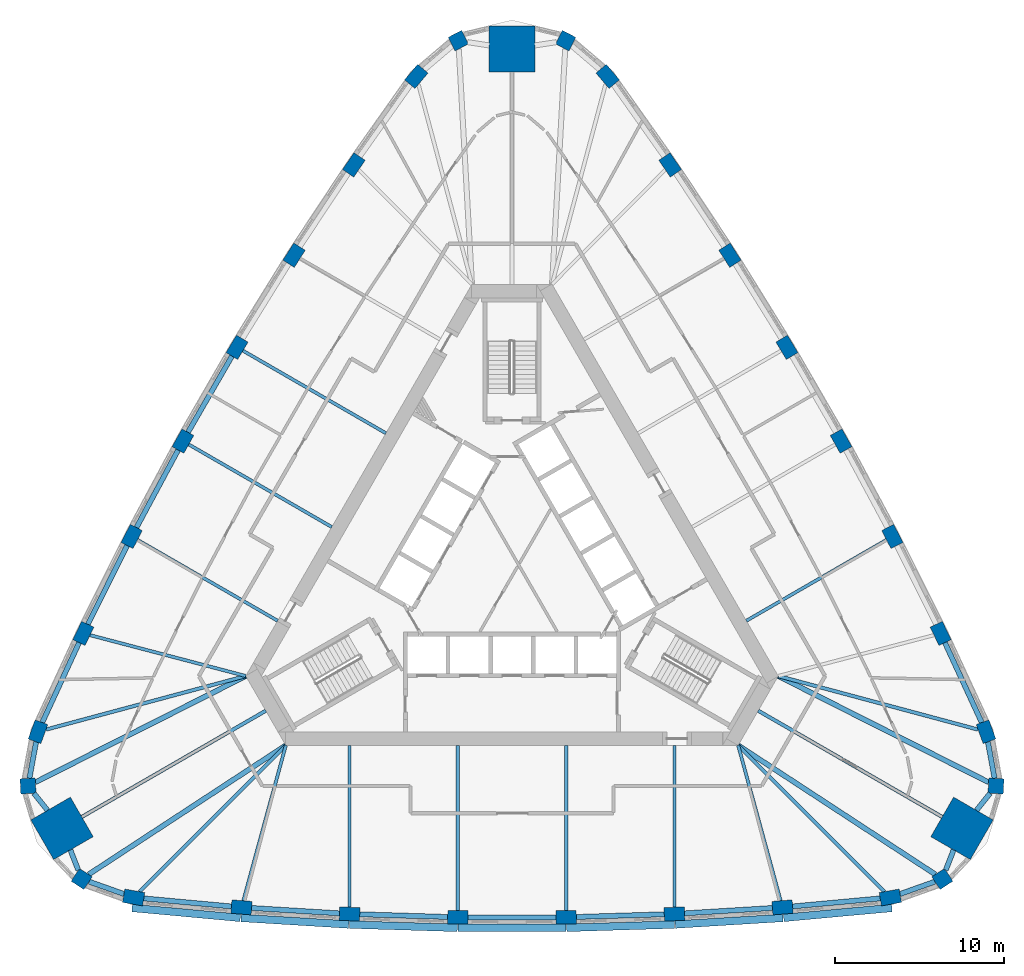
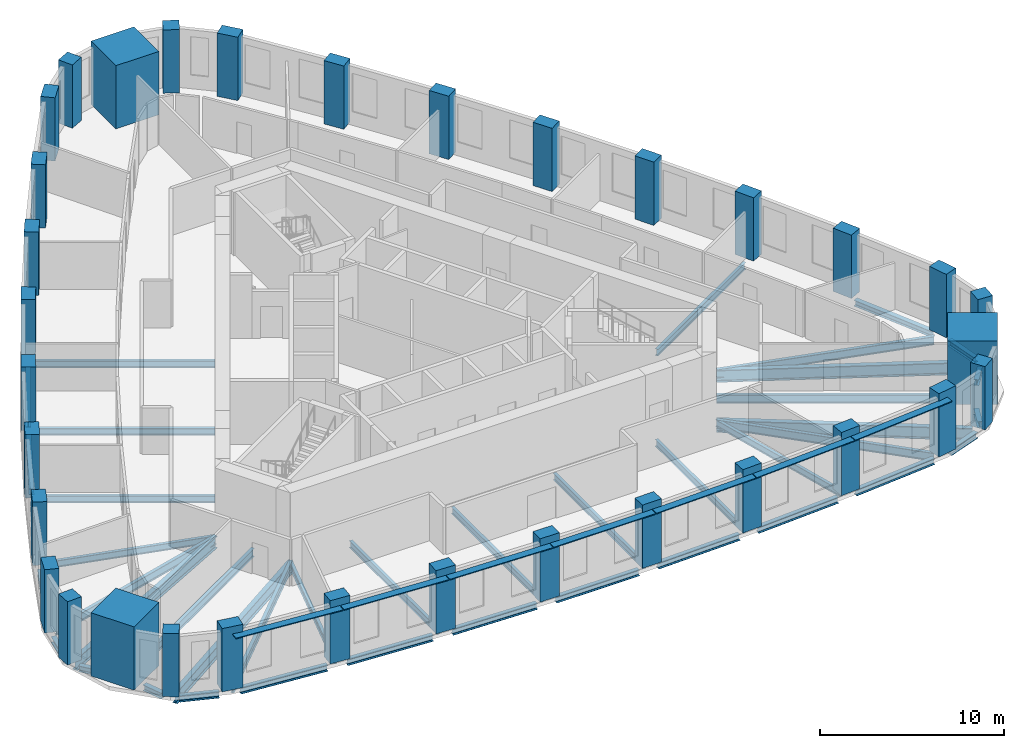
# One storey, part 1 of 10: 41 beams, 33 columns, 7 members.
"""IFC4 building model written with IfcOpenShell, lengths in metres."""

from ifc_helpers import new_model, si_unit, direction, frame, origin, origin_2d, place, context, subcontext, project, spatial, rectangle, i_section, extrude, material, material_profile, profile_set, type_object, element, save


model = new_model("IFC4")

# Units and contexts
model_context = context("Model", 3, precision=1e-05, world=origin(), true_north=direction((0.0, 1.0)))
body_context = subcontext(model_context, "Body", "Model", "MODEL_VIEW")
ifc_project = project(units=[si_unit("LENGTHUNIT", "METRE"), si_unit("AREAUNIT", "SQUARE_METRE"), si_unit("VOLUMEUNIT", "CUBIC_METRE"), si_unit("PLANEANGLEUNIT", "RADIAN"), si_unit("MASSUNIT", "GRAM", prefix="KILO")], contexts=[model_context])

# Site, building, storey
site_placement = place(None, origin())
site = spatial("IfcSite", under=ifc_project, at=site_placement, CompositionType="ELEMENT")
building_placement = place(site_placement, origin())
building = spatial("IfcBuilding", under=site, at=building_placement, Name="Mestral Congress Tower", CompositionType="ELEMENT")
storey_placement = place(building_placement, frame((0.0, 0.0, 192.0)))
storey = spatial("IfcBuildingStorey", under=building, at=storey_placement, Name="L45", CompositionType="ELEMENT", Elevation=192.0)

# Columns
ifc_material_1 = material(Name="Concrete C60/75", Category="concrete")
ifc_material_profile_1 = material_profile(ifc_material_1, rectangle(XDim=1.199951171875, YDim=0.800048828125, at=origin_2d()), Name="RC 1200x800")
ifc_profile_set_1 = profile_set([ifc_material_profile_1], Name="Concrete C60/75")
column_type_1 = type_object("IfcColumnType", Name="Column RC 1200x800 C60/75", PredefinedType="COLUMN", material=ifc_profile_set_1)
for number, where, z_axis, x_axis, name in (
    (1, (-22.357421875, -19.437255859375, 0.0), (0.0, 0.0, 1.0), (0.984571054206, -0.17498525429, 0.0), "COL-L45-C3-S00"),
    (2, (-15.984619140625, -20.0224609375, 0.0), (0.0, 0.0, 1.0), (0.997089725995, -0.076236987842, 0.0), "COL-L45-C3-S01"),
    (3, (-9.5966796875, -20.412841796875, 0.0), (0.0, 0.0, 1.0), (0.998951959915, -0.045770970953, 0.0), "COL-L45-C3-S02"),
    (4, (-3.199951171875, -20.608154296875, 0.0), (0.0, 0.0, 1.0), (0.999883524137, -0.015262311717, 0.0), "COL-L45-C3-S03"),
    (5, (3.199951171875, -20.608154296875, 0.0), (0.0, 0.0, 1.0), (0.999883524137, 0.015262311717, 0.0), "COL-L45-C3-S04"),
    (6, (9.5966796875, -20.412841796875, 0.0), (0.0, 0.0, 1.0), (0.998951959915, 0.045770970953, 0.0), "COL-L45-C3-S05"),
    (7, (15.984619140625, -20.0224609375, 0.0), (0.0, 0.0, 1.0), (0.997089725995, 0.076236987842, 0.0), "COL-L45-C3-S06"),
    (8, (22.357421875, -19.437255859375, 0.0), (0.0, 0.0, 1.0), (0.984571054206, 0.17498525429, 0.0), "COL-L45-C3-S07"),
    (9, (28.01171875, -9.6435546875, 0.0), (0.0, 0.0, 1.0), (-0.340743851601, 0.940156171918, 0.0), "COL-L45-C3-E00"),
    (10, (25.332275390625, -3.831787109375, 0.0), (0.0, 0.0, 1.0), (-0.432521694818, 0.901623526485, 0.0), "COL-L45-C3-E01"),
    (11, (22.476318359375, 1.8955078125, 0.0), (0.0, 0.0, 1.0), (-0.459837156356, 0.888003259923, 0.0), "COL-L45-C3-E02"),
    (12, (19.447265625, 7.532958984375, 0.0), (0.0, 0.0, 1.0), (-0.486724212401, 0.873555688587, 0.0), "COL-L45-C3-E03"),
    (13, (16.247314453125, 13.0751953125, 0.0), (0.0, 0.0, 1.0), (-0.513159311736, 0.85829337687, 0.0), "COL-L45-C3-E04"),
    (14, (12.8798828125, 18.517333984375, 0.0), (0.0, 0.0, 1.0), (-0.539114803559, 0.84223228897, 0.0), "COL-L45-C3-E05"),
    (15, (9.34765625, 23.854248046875, 0.0), (0.0, 0.0, 1.0), (-0.564568031177, 0.825386538643, 0.0), "COL-L45-C3-E06"),
    (16, (5.654296875, 29.080810546875, 0.0), (0.0, 0.0, 1.0), (-0.643827202606, 0.765170917629, 0.0), "COL-L45-C3-E07"),
    (17, (-5.654296875, 29.080810546875, 0.0), (0.0, 0.0, 1.0), (-0.643827202606, -0.765170917629, 0.0), "COL-L45-C3-W00"),
    (18, (-9.34765625, 23.854248046875, 0.0), (0.0, 0.0, 1.0), (-0.564568031177, -0.825386538643, 0.0), "COL-L45-C3-W01"),
    (19, (-12.8798828125, 18.517333984375, 0.0), (0.0, 0.0, 1.0), (-0.539114803559, -0.84223228897, 0.0), "COL-L45-C3-W02"),
    (20, (-16.247314453125, 13.0751953125, 0.0), (0.0, 0.0, 1.0), (-0.513159311736, -0.85829337687, 0.0), "COL-L45-C3-W03"),
    (21, (-19.447265625, 7.532958984375, 0.0), (0.0, 0.0, 1.0), (-0.486724212401, -0.873555688587, 0.0), "COL-L45-C3-W04"),
    (22, (-22.476318359375, 1.8955078125, 0.0), (0.0, 0.0, 1.0), (-0.459837156356, -0.888003259923, 0.0), "COL-L45-C3-W05"),
    (23, (-25.332275390625, -3.831787109375, 0.0), (0.0, 0.0, 1.0), (-0.432521694818, -0.901623526485, 0.0), "COL-L45-C3-W06"),
    (24, (-28.01171875, -9.6435546875, 0.0), (0.0, 0.0, 1.0), (-0.340743851601, -0.940156171918, 0.0), "COL-L45-C3-W07"),
):
    element("IfcColumn", number, at=place(storey_placement, frame(where, z_axis=z_axis, x_axis=x_axis)), inside=storey, type_object=column_type_1, Name=name, PredefinedType="COLUMN", context=body_context, shape_type="SweptSolid", body=[
        extrude(rectangle(XDim=1.199951171875, YDim=0.800048828125, at=origin_2d()), origin(), (0.0, 0.0, 1.0), 4.199951171875),
    ])
ifc_material_profile_2 = material_profile(ifc_material_1, rectangle(XDim=0.89990234375, YDim=0.89990234375, at=origin_2d()), Name="RC 900x900")
ifc_profile_set_2 = profile_set([ifc_material_profile_2], Name="Concrete C60/75")
column_type_2 = type_object("IfcColumnType", Name="Column RC 900x900 C60/75", PredefinedType="COLUMN", material=ifc_profile_set_2)
for number, where, z_axis, x_axis, name in (
    (25, (25.4296875, -18.34375, 0.0), (0.0, 0.0, 1.0), (0.838094050847, 0.545525766518, 0.0), "COL-L45-C3-SE1"),
    (26, (28.60107421875, -12.850830078125, 0.0), (0.0, 0.0, 1.0), (0.0533921468, 0.998573622053, 0.0), "COL-L45-C3-SE3"),
    (27, (3.17138671875, 31.194580078125, 0.0), (0.0, 0.0, 1.0), (-0.891486197647, 0.453047855535, 0.0), "COL-L45-C3-N1"),
    (28, (-3.17138671875, 31.194580078125, 0.0), (0.0, 0.0, 1.0), (-0.891486197647, -0.453047855535, 0.0), "COL-L45-C3-N3"),
    (29, (-28.60107421875, -12.850830078125, 0.0), (0.0, 0.0, 1.0), (0.0533921468, -0.998573622053, 0.0), "COL-L45-C3-SW1"),
    (30, (-25.4296875, -18.34375, 0.0), (0.0, 0.0, 1.0), (0.838094050847, -0.545525766518, 0.0), "COL-L45-C3-SW3"),
):
    element("IfcColumn", number, at=place(storey_placement, frame(where, z_axis=z_axis, x_axis=x_axis)), inside=storey, type_object=column_type_2, Name=name, PredefinedType="COLUMN", context=body_context, shape_type="SweptSolid", body=[
        extrude(rectangle(XDim=0.89990234375, YDim=0.89990234375, at=origin_2d()), origin(), (0.0, 0.0, 1.0), 4.199951171875),
    ])
ifc_material_2 = material(Name="Concrete C70/85", Category="concrete")
ifc_material_profile_3 = material_profile(ifc_material_2, rectangle(XDim=2.699951171875, YDim=2.699951171875, at=origin_2d()), Name="RC 2700x2700")
ifc_profile_set_3 = profile_set([ifc_material_profile_3], Name="Concrete C70/85")
column_type_3 = type_object("IfcColumnType", Name="Mega column RC 2700x2700 C70/85", PredefinedType="COLUMN", material=ifc_profile_set_3)
for number, where, z_axis, x_axis, name in (
    (31, (26.590576171875, -15.35205078125, 0.0), (0.0, 0.0, 1.0), (0.866025403784, -0.5, 0.0), "COL-L45-PY3-SE"),
    (32, (0.0, 30.7041015625, 0.0), (0.0, 0.0, 1.0), (0.0, 1.0, 0.0), "COL-L45-PY3-N"),
    (33, (-26.590576171875, -15.35205078125, 0.0), (0.0, 0.0, 1.0), (-0.866025403784, -0.5, 0.0), "COL-L45-PY3-SW"),
):
    element("IfcColumn", number, at=place(storey_placement, frame(where, z_axis=z_axis, x_axis=x_axis)), inside=storey, type_object=column_type_3, Name=name, PredefinedType="COLUMN", context=body_context, shape_type="SweptSolid", body=[
        extrude(rectangle(XDim=2.699951171875, YDim=2.699951171875, at=origin_2d()), origin(), (0.0, 0.0, 1.0), 4.199951171875),
    ])

# Members
ifc_material_3 = material(Name="Glazed ceramic", Category="masonry")
ifc_material_profile_4 = material_profile(ifc_material_3, rectangle(XDim=0.449951171875, YDim=0.06005859375, at=origin_2d()), Name="Ceramic blade 450 x 60")
ifc_profile_set_4 = profile_set([ifc_material_profile_4], Name="Glazed ceramic")
member_type = type_object("IfcMemberType", Name="Facade sunshade blade 450 x 60", PredefinedType="USERDEFINED", material=ifc_profile_set_4)
member_1_placement = place(storey_placement, frame((-22.451171875, -20.05615234375, 3.679931640625), z_axis=(0.995809919347, -0.091447277326, 0.0), x_axis=(0.091447277326, 0.995809919347, 0.0)))
element("IfcMember", 34, at=member_1_placement, inside=storey, type_object=member_type, Name="Sunshade F0-00", ObjectType="SUNSHADE", PredefinedType="USERDEFINED", context=body_context, shape_type="SweptSolid", body=[
    extrude(rectangle(XDim=0.449951171875, YDim=0.06005859375, at=origin_2d()), origin(), (0.0, 0.0, 1.0), 6.42333984375),
])
member_2_placement = place(storey_placement, frame((-16.009521484375, -20.647216796875, 3.679931640625), z_axis=(0.998138940399, -0.06098078107, 0.0), x_axis=(0.06098078107, 0.998138940399, 0.0)))
element("IfcMember", 35, at=member_2_placement, inside=storey, type_object=member_type, Name="Sunshade F0-01", ObjectType="SUNSHADE", PredefinedType="USERDEFINED", context=body_context, shape_type="SweptSolid", body=[
    extrude(rectangle(XDim=0.449951171875, YDim=0.06005859375, at=origin_2d()), origin(), (0.0, 0.0, 1.0), 6.373779296875),
])
for number, where, z_axis, x_axis, name in (
    (36, (-9.6025390625, -21.0380859375, 3.679931640625), (0.999535044007, -0.03049091343, 0.0), (0.03049091343, 0.999535044007, 0.0), "Sunshade F0-02"),
    (37, (-3.186767578125, -21.233154296875, 3.679931640625), (1.0, 0.0, 0.0), (0.0, 1.0, 0.0), "Sunshade F0-03"),
    (38, (3.23193359375, -21.232421875, 3.679931640625), (0.999535044007, 0.03049091343, 0.0), (-0.03049091343, 0.999535044007, 0.0), "Sunshade F0-04"),
):
    element("IfcMember", number, at=place(storey_placement, frame(where, z_axis=z_axis, x_axis=x_axis)), inside=storey, type_object=member_type, Name=name, ObjectType="SUNSHADE", PredefinedType="USERDEFINED", context=body_context, shape_type="SweptSolid", body=[
        extrude(rectangle(XDim=0.449951171875, YDim=0.06005859375, at=origin_2d()), origin(), (0.0, 0.0, 1.0), 6.37353515625),
    ])
member_3_placement = place(storey_placement, frame((9.647705078125, -21.035888671875, 3.679931640625), z_axis=(0.998138940399, 0.06098078107, 0.0), x_axis=(-0.06098078107, 0.998138940399, 0.0)))
element("IfcMember", 39, at=member_3_placement, inside=storey, type_object=member_type, Name="Sunshade F0-05", ObjectType="SUNSHADE", PredefinedType="USERDEFINED", context=body_context, shape_type="SweptSolid", body=[
    extrude(rectangle(XDim=0.449951171875, YDim=0.06005859375, at=origin_2d()), origin(), (0.0, 0.0, 1.0), 6.373779296875),
])
member_4_placement = place(storey_placement, frame((16.0546875, -20.6435546875, 3.679931640625), z_axis=(0.995809919347, 0.091447277326, 0.0), x_axis=(-0.091447277326, 0.995809919347, 0.0)))
element("IfcMember", 40, at=member_4_placement, inside=storey, type_object=member_type, Name="Sunshade F0-06", ObjectType="SUNSHADE", PredefinedType="USERDEFINED", context=body_context, shape_type="SweptSolid", body=[
    extrude(rectangle(XDim=0.449951171875, YDim=0.06005859375, at=origin_2d()), origin(), (0.0, 0.0, 1.0), 6.42333984375),
])

# Beams
ifc_material_4 = material(Name="Steel S355", Category="steel")
ifc_material_profile_5 = material_profile(ifc_material_4, i_section(OverallWidth=0.300048828125, OverallDepth=0.800048828125, WebThickness=0.017578125, FlangeThickness=0.032958984375, FilletRadius=0.030029296875, at=origin_2d()), Name="HEB 800")
ifc_profile_set_5 = profile_set([ifc_material_profile_5], Name="Steel S355")
beam_type_1 = type_object("IfcBeamType", Name="Floor beam HEB 800 S355", PredefinedType="BEAM", material=ifc_profile_set_5)
beam_1_placement = place(storey_placement, frame((25.018310546875, -18.07470703125, -0.64990234375), z_axis=(-0.836780237492, 0.547538888247, 0.0), x_axis=(-0.547538888247, -0.836780237492, 0.0)))
element("IfcBeam", 41, at=beam_1_placement, inside=storey, type_object=beam_type_1, Name="BM-L45-RB3-SE1", PredefinedType="BEAM", context=body_context, shape_type="SweptSolid", body=[
    extrude(i_section(OverallWidth=0.300048828125, OverallDepth=0.800048828125, WebThickness=0.017578125, FlangeThickness=0.032958984375, FilletRadius=0.030029296875, at=origin_2d()), origin(), (0.0, 0.0, 1.0), 13.925537109375),
])
for number, where, z_axis, x_axis, name in (
    (42, (28.162109375, -12.629150390625, -0.64990234375), (-0.892568118133, 0.450912579656, 0.0), (-0.450912579656, -0.892568118133, 0.0), "BM-L45-RB3-SE3"),
    (43, (-28.162109375, -12.629150390625, -0.64990234375), (0.892568118133, 0.450912579656, 0.0), (-0.450912579656, 0.892568118133, 0.0), "BM-L45-RB3-SW1"),
):
    element("IfcBeam", number, at=place(storey_placement, frame(where, z_axis=z_axis, x_axis=x_axis)), inside=storey, type_object=beam_type_1, Name=name, PredefinedType="BEAM", context=body_context, shape_type="SweptSolid", body=[
        extrude(i_section(OverallWidth=0.300048828125, OverallDepth=0.800048828125, WebThickness=0.017578125, FlangeThickness=0.032958984375, FilletRadius=0.030029296875, at=origin_2d()), origin(), (0.0, 0.0, 1.0), 13.92529296875),
    ])
beam_2_placement = place(storey_placement, frame((-25.018310546875, -18.07470703125, -0.64990234375), z_axis=(0.836780237492, 0.547538888247, 0.0), x_axis=(-0.547538888247, 0.836780237492, 0.0)))
element("IfcBeam", 44, at=beam_2_placement, inside=storey, type_object=beam_type_1, Name="BM-L45-RB3-SW3", PredefinedType="BEAM", context=body_context, shape_type="SweptSolid", body=[
    extrude(i_section(OverallWidth=0.300048828125, OverallDepth=0.800048828125, WebThickness=0.017578125, FlangeThickness=0.032958984375, FilletRadius=0.030029296875, at=origin_2d()), origin(), (0.0, 0.0, 1.0), 13.925537109375),
])
ifc_material_profile_6 = material_profile(ifc_material_4, i_section(OverallWidth=0.18994140625, OverallDepth=0.449951171875, WebThickness=0.009521484375, FlangeThickness=0.0146484375, FilletRadius=0.02099609375, at=origin_2d()), Name="IPE 450")
ifc_profile_set_6 = profile_set([ifc_material_profile_6], Name="Steel S355")
beam_type_2 = type_object("IfcBeamType", Name="Floor beam IPE 450 S355", PredefinedType="BEAM", material=ifc_profile_set_6)
beam_3_placement = place(storey_placement, frame((-15.876953125, -19.62939453125, -0.47509765625), z_axis=(0.263874900873, 0.964556912105, 0.0), x_axis=(-0.964556912105, 0.263874900873, 0.0)))
element("IfcBeam", 45, at=beam_3_placement, inside=storey, type_object=beam_type_2, Name="BM-L45-RB3-S01", PredefinedType="BEAM", context=body_context, shape_type="SweptSolid", body=[
    extrude(i_section(OverallWidth=0.18994140625, OverallDepth=0.449951171875, WebThickness=0.009521484375, FlangeThickness=0.0146484375, FilletRadius=0.02099609375, at=origin_2d()), origin(), (0.0, 0.0, 1.0), 9.516845703125),
])
beam_4_placement = place(storey_placement, frame((-9.5966796875, -20.012451171875, -0.47509765625), z_axis=(0.0, 1.0, 0.0), x_axis=(-1.0, 0.0, 0.0)))
element("IfcBeam", 46, at=beam_4_placement, inside=storey, type_object=beam_type_2, Name="BM-L45-RB3-S02", PredefinedType="BEAM", context=body_context, shape_type="SweptSolid", body=[
    extrude(i_section(OverallWidth=0.18994140625, OverallDepth=0.449951171875, WebThickness=0.009521484375, FlangeThickness=0.0146484375, FilletRadius=0.02099609375, at=origin_2d()), origin(), (0.0, 0.0, 1.0), 9.5625),
])
for number, where, z_axis, x_axis, name in (
    (47, (-3.199951171875, -20.208251953125, -0.47509765625), (0.0, 1.0, 0.0), (-1.0, 0.0, 0.0), "BM-L45-RB3-S03"),
    (48, (3.199951171875, -20.208251953125, -0.47509765625), (0.0, 1.0, 0.0), (-1.0, 0.0, 0.0), "BM-L45-RB3-S04"),
):
    element("IfcBeam", number, at=place(storey_placement, frame(where, z_axis=z_axis, x_axis=x_axis)), inside=storey, type_object=beam_type_2, Name=name, PredefinedType="BEAM", context=body_context, shape_type="SweptSolid", body=[
        extrude(i_section(OverallWidth=0.18994140625, OverallDepth=0.449951171875, WebThickness=0.009521484375, FlangeThickness=0.0146484375, FilletRadius=0.02099609375, at=origin_2d()), origin(), (0.0, 0.0, 1.0), 9.75830078125),
    ])
beam_5_placement = place(storey_placement, frame((9.5966796875, -20.012451171875, -0.47509765625), z_axis=(0.0, 1.0, 0.0), x_axis=(-1.0, 0.0, 0.0)))
element("IfcBeam", 49, at=beam_5_placement, inside=storey, type_object=beam_type_2, Name="BM-L45-RB3-S05", PredefinedType="BEAM", context=body_context, shape_type="SweptSolid", body=[
    extrude(i_section(OverallWidth=0.18994140625, OverallDepth=0.449951171875, WebThickness=0.009521484375, FlangeThickness=0.0146484375, FilletRadius=0.02099609375, at=origin_2d()), origin(), (0.0, 0.0, 1.0), 9.5625),
])
beam_6_placement = place(storey_placement, frame((15.876953125, -19.62939453125, -0.47509765625), z_axis=(-0.263874900873, 0.964556912105, 0.0), x_axis=(-0.964556912105, -0.263874900873, 0.0)))
element("IfcBeam", 50, at=beam_6_placement, inside=storey, type_object=beam_type_2, Name="BM-L45-RB3-S06", PredefinedType="BEAM", context=body_context, shape_type="SweptSolid", body=[
    extrude(i_section(OverallWidth=0.18994140625, OverallDepth=0.449951171875, WebThickness=0.009521484375, FlangeThickness=0.0146484375, FilletRadius=0.02099609375, at=origin_2d()), origin(), (0.0, 0.0, 1.0), 9.516845703125),
])
beam_7_placement = place(storey_placement, frame((22.129638671875, 1.6953125, -0.47509765625), z_axis=(-0.866022320763, -0.500005339912, 0.0), x_axis=(0.500005339912, -0.866022320763, 0.0)))
element("IfcBeam", 51, at=beam_7_placement, inside=storey, type_object=beam_type_2, Name="BM-L45-RB3-E02", PredefinedType="BEAM", context=body_context, shape_type="SweptSolid", body=[
    extrude(i_section(OverallWidth=0.18994140625, OverallDepth=0.449951171875, WebThickness=0.009521484375, FlangeThickness=0.0146484375, FilletRadius=0.02099609375, at=origin_2d()), origin(), (0.0, 0.0, 1.0), 9.5625),
])
beam_8_placement = place(storey_placement, frame((-15.90087890625, 12.875244140625, -0.47509765625), z_axis=(0.866025182435, -0.500000383388, 0.0), x_axis=(0.500000383388, 0.866025182435, 0.0)))
element("IfcBeam", 52, at=beam_8_placement, inside=storey, type_object=beam_type_2, Name="BM-L45-RB3-W03", PredefinedType="BEAM", context=body_context, shape_type="SweptSolid", body=[
    extrude(i_section(OverallWidth=0.18994140625, OverallDepth=0.449951171875, WebThickness=0.009521484375, FlangeThickness=0.0146484375, FilletRadius=0.02099609375, at=origin_2d()), origin(), (0.0, 0.0, 1.0), 9.75830078125),
])
beam_9_placement = place(storey_placement, frame((-19.100830078125, 7.332763671875, -0.47509765625), z_axis=(0.866036015824, -0.499981618958, 0.0), x_axis=(0.499981618958, 0.866036015824, 0.0)))
element("IfcBeam", 53, at=beam_9_placement, inside=storey, type_object=beam_type_2, Name="BM-L45-RB3-W04", PredefinedType="BEAM", context=body_context, shape_type="SweptSolid", body=[
    extrude(i_section(OverallWidth=0.18994140625, OverallDepth=0.449951171875, WebThickness=0.009521484375, FlangeThickness=0.0146484375, FilletRadius=0.02099609375, at=origin_2d()), origin(), (0.0, 0.0, 1.0), 9.758056640625),
])
beam_10_placement = place(storey_placement, frame((-22.129638671875, 1.6953125, -0.47509765625), z_axis=(0.866022320763, -0.500005339912, 0.0), x_axis=(0.500005339912, 0.866022320763, 0.0)))
element("IfcBeam", 54, at=beam_10_placement, inside=storey, type_object=beam_type_2, Name="BM-L45-RB3-W05", PredefinedType="BEAM", context=body_context, shape_type="SweptSolid", body=[
    extrude(i_section(OverallWidth=0.18994140625, OverallDepth=0.449951171875, WebThickness=0.009521484375, FlangeThickness=0.0146484375, FilletRadius=0.02099609375, at=origin_2d()), origin(), (0.0, 0.0, 1.0), 9.5625),
])
beam_11_placement = place(storey_placement, frame((-24.938232421875, -3.93505859375, -0.47509765625), z_axis=(0.967265999603, -0.253764627187, 0.0), x_axis=(0.253764627187, 0.967265999603, 0.0)))
element("IfcBeam", 55, at=beam_11_placement, inside=storey, type_object=beam_type_2, Name="BM-L45-RB3-W06", PredefinedType="BEAM", context=body_context, shape_type="SweptSolid", body=[
    extrude(i_section(OverallWidth=0.18994140625, OverallDepth=0.449951171875, WebThickness=0.009521484375, FlangeThickness=0.0146484375, FilletRadius=0.02099609375, at=origin_2d()), origin(), (0.0, 0.0, 1.0), 9.516845703125),
])
ifc_material_profile_7 = material_profile(ifc_material_4, i_section(OverallWidth=0.2099609375, OverallDepth=0.550048828125, WebThickness=0.010986328125, FlangeThickness=0.01708984375, FilletRadius=0.02392578125, at=origin_2d()), Name="IPE 550")
ifc_profile_set_7 = profile_set([ifc_material_profile_7], Name="Steel S355")
beam_type_3 = type_object("IfcBeamType", Name="Floor beam IPE 550 S355", PredefinedType="BEAM", material=ifc_profile_set_7)
for number, where, z_axis, x_axis, name in (
    (56, (-22.01220703125, -19.09228515625, -0.52490234375), (0.707276510369, 0.706937011254, 0.0), (-0.706937011254, 0.707276510369, 0.0), "BM-L45-RB3-S00"),
    (57, (22.01220703125, -19.09228515625, -0.52490234375), (-0.707276510369, 0.706937011254, 0.0), (-0.706937011254, -0.707276510369, 0.0), "BM-L45-RB3-S07"),
):
    element("IfcBeam", number, at=place(storey_placement, frame(where, z_axis=z_axis, x_axis=x_axis)), inside=storey, type_object=beam_type_3, Name=name, PredefinedType="BEAM", context=body_context, shape_type="SweptSolid", body=[
        extrude(i_section(OverallWidth=0.2099609375, OverallDepth=0.550048828125, WebThickness=0.010986328125, FlangeThickness=0.01708984375, FilletRadius=0.02392578125, at=origin_2d()), origin(), (0.0, 0.0, 1.0), 12.22509765625),
    ])
beam_12_placement = place(storey_placement, frame((25.42138671875, -14.677001953125, -0.52490234375), z_axis=(-0.866034999462, 0.49998337943, 0.0), x_axis=(-0.49998337943, -0.866034999462, 0.0)))
element("IfcBeam", 58, at=beam_12_placement, inside=storey, type_object=beam_type_3, Name="BM-L45-RB3-SE", PredefinedType="BEAM", context=body_context, shape_type="SweptSolid", body=[
    extrude(i_section(OverallWidth=0.2099609375, OverallDepth=0.550048828125, WebThickness=0.010986328125, FlangeThickness=0.01708984375, FilletRadius=0.02392578125, at=origin_2d()), origin(), (0.0, 0.0, 1.0), 12.55419921875),
])
for number, where, z_axis, x_axis, name in (
    (59, (27.54052734375, -9.51708984375, -0.52490234375), (-0.965861364708, 0.259059499276, 0.0), (-0.259059499276, -0.965861364708, 0.0), "BM-L45-RB3-E00"),
    (60, (-27.54052734375, -9.51708984375, -0.52490234375), (0.965861364708, 0.259059499276, 0.0), (-0.259059499276, 0.965861364708, 0.0), "BM-L45-RB3-W07"),
):
    element("IfcBeam", number, at=place(storey_placement, frame(where, z_axis=z_axis, x_axis=x_axis)), inside=storey, type_object=beam_type_3, Name=name, PredefinedType="BEAM", context=body_context, shape_type="SweptSolid", body=[
        extrude(i_section(OverallWidth=0.2099609375, OverallDepth=0.550048828125, WebThickness=0.010986328125, FlangeThickness=0.01708984375, FilletRadius=0.02392578125, at=origin_2d()), origin(), (0.0, 0.0, 1.0), 12.224853515625),
    ])
beam_13_placement = place(storey_placement, frame((-25.42138671875, -14.677001953125, -0.52490234375), z_axis=(0.866034999462, 0.49998337943, 0.0), x_axis=(-0.49998337943, 0.866034999462, 0.0)))
element("IfcBeam", 61, at=beam_13_placement, inside=storey, type_object=beam_type_3, Name="BM-L45-RB3-SW", PredefinedType="BEAM", context=body_context, shape_type="SweptSolid", body=[
    extrude(i_section(OverallWidth=0.2099609375, OverallDepth=0.550048828125, WebThickness=0.010986328125, FlangeThickness=0.01708984375, FilletRadius=0.02392578125, at=origin_2d()), origin(), (0.0, 0.0, 1.0), 12.55419921875),
])
ifc_material_profile_8 = material_profile(ifc_material_4, i_section(OverallWidth=0.300048828125, OverallDepth=0.389892578125, WebThickness=0.010986328125, FlangeThickness=0.01904296875, FilletRadius=0.027099609375, at=origin_2d()), Name="HEA 400")
ifc_profile_set_8 = profile_set([ifc_material_profile_8], Name="Steel S355")
beam_type_4 = type_object("IfcBeamType", Name="Spandrel beam HEA 400 S355", PredefinedType="BEAM", material=ifc_profile_set_8)
beam_14_placement = place(storey_placement, frame((-21.7578125, -19.4921875, -0.445068359375), z_axis=(0.995809233617, -0.091454744238, 0.0), x_axis=(0.091454744238, 0.995809233617, 0.0)))
element("IfcBeam", 62, at=beam_14_placement, inside=storey, type_object=beam_type_4, Name="SP-L45-SB3-S00", PredefinedType="BEAM", context=body_context, shape_type="SweptSolid", body=[
    extrude(i_section(OverallWidth=0.300048828125, OverallDepth=0.389892578125, WebThickness=0.010986328125, FlangeThickness=0.01904296875, FilletRadius=0.027099609375, at=origin_2d()), origin(), (0.0, 0.0, 1.0), 5.197509765625),
])
beam_15_placement = place(storey_placement, frame((-15.385498046875, -20.05908203125, -0.445068359375), z_axis=(0.998138215809, -0.060992640057, 0.0), x_axis=(0.060992640057, 0.998138215809, 0.0)))
element("IfcBeam", 63, at=beam_15_placement, inside=storey, type_object=beam_type_4, Name="SP-L45-SB3-S01", PredefinedType="BEAM", context=body_context, shape_type="SweptSolid", body=[
    extrude(i_section(OverallWidth=0.300048828125, OverallDepth=0.389892578125, WebThickness=0.010986328125, FlangeThickness=0.01904296875, FilletRadius=0.027099609375, at=origin_2d()), origin(), (0.0, 0.0, 1.0), 5.19970703125),
])
beam_16_placement = place(storey_placement, frame((-8.996826171875, -20.43115234375, -0.445068359375), z_axis=(0.999534130554, -0.030520842996, 0.0), x_axis=(0.030520842996, 0.999534130554, 0.0)))
element("IfcBeam", 64, at=beam_16_placement, inside=storey, type_object=beam_type_4, Name="SP-L45-SB3-S02", PredefinedType="BEAM", context=body_context, shape_type="SweptSolid", body=[
    extrude(i_section(OverallWidth=0.300048828125, OverallDepth=0.389892578125, WebThickness=0.010986328125, FlangeThickness=0.01904296875, FilletRadius=0.027099609375, at=origin_2d()), origin(), (0.0, 0.0, 1.0), 5.199462890625),
])
beam_17_placement = place(storey_placement, frame((-2.599853515625, -20.608154296875, -0.445068359375), z_axis=(1.0, 0.0, 0.0), x_axis=(0.0, 1.0, 0.0)))
element("IfcBeam", 65, at=beam_17_placement, inside=storey, type_object=beam_type_4, Name="SP-L45-SB3-S03", PredefinedType="BEAM", context=body_context, shape_type="SweptSolid", body=[
    extrude(i_section(OverallWidth=0.300048828125, OverallDepth=0.389892578125, WebThickness=0.010986328125, FlangeThickness=0.01904296875, FilletRadius=0.027099609375, at=origin_2d()), origin(), (0.0, 0.0, 1.0), 5.19970703125),
])
beam_18_placement = place(storey_placement, frame((3.7998046875, -20.58984375, -0.445068359375), z_axis=(0.999534130554, 0.030520842996, 0.0), x_axis=(-0.030520842996, 0.999534130554, 0.0)))
element("IfcBeam", 66, at=beam_18_placement, inside=storey, type_object=beam_type_4, Name="SP-L45-SB3-S04", PredefinedType="BEAM", context=body_context, shape_type="SweptSolid", body=[
    extrude(i_section(OverallWidth=0.300048828125, OverallDepth=0.389892578125, WebThickness=0.010986328125, FlangeThickness=0.01904296875, FilletRadius=0.027099609375, at=origin_2d()), origin(), (0.0, 0.0, 1.0), 5.199462890625),
])
beam_19_placement = place(storey_placement, frame((10.195556640625, -20.376220703125, -0.445068359375), z_axis=(0.998138215809, 0.060992640057, 0.0), x_axis=(-0.060992640057, 0.998138215809, 0.0)))
element("IfcBeam", 67, at=beam_19_placement, inside=storey, type_object=beam_type_4, Name="SP-L45-SB3-S05", PredefinedType="BEAM", context=body_context, shape_type="SweptSolid", body=[
    extrude(i_section(OverallWidth=0.300048828125, OverallDepth=0.389892578125, WebThickness=0.010986328125, FlangeThickness=0.01904296875, FilletRadius=0.027099609375, at=origin_2d()), origin(), (0.0, 0.0, 1.0), 5.19970703125),
])
beam_20_placement = place(storey_placement, frame((16.58203125, -19.967529296875, -0.445068359375), z_axis=(0.995809233617, 0.091454744238, 0.0), x_axis=(-0.091454744238, 0.995809233617, 0.0)))
element("IfcBeam", 68, at=beam_20_placement, inside=storey, type_object=beam_type_4, Name="SP-L45-SB3-S06", PredefinedType="BEAM", context=body_context, shape_type="SweptSolid", body=[
    extrude(i_section(OverallWidth=0.300048828125, OverallDepth=0.389892578125, WebThickness=0.010986328125, FlangeThickness=0.01904296875, FilletRadius=0.027099609375, at=origin_2d()), origin(), (0.0, 0.0, 1.0), 5.197509765625),
])
beam_21_placement = place(storey_placement, frame((22.9306640625, -19.233154296875, -0.445068359375), z_axis=(0.942124718118, 0.33526260679, 0.0), x_axis=(-0.33526260679, 0.942124718118, 0.0)))
element("IfcBeam", 69, at=beam_21_placement, inside=storey, type_object=beam_type_4, Name="SP-L45-SB3-S07", PredefinedType="BEAM", context=body_context, shape_type="SweptSolid", body=[
    extrude(i_section(OverallWidth=0.300048828125, OverallDepth=0.389892578125, WebThickness=0.010986328125, FlangeThickness=0.01904296875, FilletRadius=0.027099609375, at=origin_2d()), origin(), (0.0, 0.0, 1.0), 2.189697265625),
])
for number, where, z_axis, x_axis, name in (
    (70, (25.630126953125, -17.826904296875, -0.445068359375), (0.361897583915, 0.932217860136, 0.0), (-0.932217860136, 0.361897583915, 0.0), "SP-L45-SB3-SE1"),
    (71, (27.446533203125, -14.287353515625, -0.445068359375), (0.626403443736, 0.779499022242, 0.0), (-0.779499022242, 0.626403443736, 0.0), "SP-L45-SB3-SE"),
):
    element("IfcBeam", number, at=place(storey_placement, frame(where, z_axis=z_axis, x_axis=x_axis)), inside=storey, type_object=beam_type_4, Name=name, PredefinedType="BEAM", context=body_context, shape_type="SweptSolid", body=[
        extrude(i_section(OverallWidth=0.300048828125, OverallDepth=0.389892578125, WebThickness=0.010986328125, FlangeThickness=0.01904296875, FilletRadius=0.027099609375, at=origin_2d()), origin(), (0.0, 0.0, 1.0), 1.28857421875),
    ])
beam_22_placement = place(storey_placement, frame((28.517333984375, -12.395751953125, -0.445068359375), z_axis=(-0.18061190167, 0.983554442304, 0.0), x_axis=(-0.983554442304, -0.18061190167, 0.0)))
element("IfcBeam", 72, at=beam_22_placement, inside=storey, type_object=beam_type_4, Name="SP-L45-SB3-SE3", PredefinedType="BEAM", context=body_context, shape_type="SweptSolid", body=[
    extrude(i_section(OverallWidth=0.300048828125, OverallDepth=0.389892578125, WebThickness=0.010986328125, FlangeThickness=0.01904296875, FilletRadius=0.027099609375, at=origin_2d()), origin(), (0.0, 0.0, 1.0), 2.18994140625),
])
beam_23_placement = place(storey_placement, frame((27.759765625, -9.0966796875, -0.445068359375), z_axis=(-0.418712613032, 0.908118796022, 0.0), x_axis=(-0.908118796022, -0.418712613032, 0.0)))
element("IfcBeam", 73, at=beam_23_placement, inside=storey, type_object=beam_type_4, Name="SP-L45-SB3-E00", PredefinedType="BEAM", context=body_context, shape_type="SweptSolid", body=[
    extrude(i_section(OverallWidth=0.300048828125, OverallDepth=0.389892578125, WebThickness=0.010986328125, FlangeThickness=0.01904296875, FilletRadius=0.027099609375, at=origin_2d()), origin(), (0.0, 0.0, 1.0), 5.197509765625),
])
for number, where, z_axis, x_axis, name in (
    (74, (-16.54736328125, 12.5556640625, -0.445068359375), (-0.499992051641, -0.866029992723, 0.0), (0.866029992723, -0.499992051641, 0.0), "SP-L45-SB3-W03"),
    (75, (-19.731201171875, 7.00439453125, -0.445068359375), (-0.473332458078, -0.880883865291, 0.0), (0.880883865291, -0.473332458078, 0.0), "SP-L45-SB3-W04"),
):
    element("IfcBeam", number, at=place(storey_placement, frame(where, z_axis=z_axis, x_axis=x_axis)), inside=storey, type_object=beam_type_4, Name=name, PredefinedType="BEAM", context=body_context, shape_type="SweptSolid", body=[
        extrude(i_section(OverallWidth=0.300048828125, OverallDepth=0.389892578125, WebThickness=0.010986328125, FlangeThickness=0.01904296875, FilletRadius=0.027099609375, at=origin_2d()), origin(), (0.0, 0.0, 1.0), 5.19970703125),
    ])
beam_24_placement = place(storey_placement, frame((-22.744140625, 1.3583984375, -0.445068359375), z_axis=(-0.446255467462, -0.894905613884, 0.0), x_axis=(0.894905613884, -0.446255467462, 0.0)))
element("IfcBeam", 76, at=beam_24_placement, inside=storey, type_object=beam_type_4, Name="SP-L45-SB3-W05", PredefinedType="BEAM", context=body_context, shape_type="SweptSolid", body=[
    extrude(i_section(OverallWidth=0.300048828125, OverallDepth=0.389892578125, WebThickness=0.010986328125, FlangeThickness=0.01904296875, FilletRadius=0.027099609375, at=origin_2d()), origin(), (0.0, 0.0, 1.0), 5.199462890625),
])
beam_25_placement = place(storey_placement, frame((-25.58349609375, -4.376708984375, -0.445068359375), z_axis=(-0.418712613032, -0.908118796022, 0.0), x_axis=(0.908118796022, -0.418712613032, 0.0)))
element("IfcBeam", 77, at=beam_25_placement, inside=storey, type_object=beam_type_4, Name="SP-L45-SB3-W06", PredefinedType="BEAM", context=body_context, shape_type="SweptSolid", body=[
    extrude(i_section(OverallWidth=0.300048828125, OverallDepth=0.389892578125, WebThickness=0.010986328125, FlangeThickness=0.01904296875, FilletRadius=0.027099609375, at=origin_2d()), origin(), (0.0, 0.0, 1.0), 5.197509765625),
])
beam_26_placement = place(storey_placement, frame((-28.121826171875, -10.241943359375, -0.445068359375), z_axis=(-0.18061190167, -0.983554442304, 0.0), x_axis=(0.983554442304, -0.18061190167, 0.0)))
element("IfcBeam", 78, at=beam_26_placement, inside=storey, type_object=beam_type_4, Name="SP-L45-SB3-W07", PredefinedType="BEAM", context=body_context, shape_type="SweptSolid", body=[
    extrude(i_section(OverallWidth=0.300048828125, OverallDepth=0.389892578125, WebThickness=0.010986328125, FlangeThickness=0.01904296875, FilletRadius=0.027099609375, at=origin_2d()), origin(), (0.0, 0.0, 1.0), 2.18994140625),
])
for number, where, z_axis, x_axis, name in (
    (79, (-28.253662109375, -13.282958984375, -0.445068359375), (0.626403443736, -0.779499022242, 0.0), (0.779499022242, 0.626403443736, 0.0), "SP-L45-SB3-SW1"),
    (80, (-26.096435546875, -16.625732421875, -0.445068359375), (0.361897583915, -0.932217860136, 0.0), (0.932217860136, 0.361897583915, 0.0), "SP-L45-SB3-SW"),
):
    element("IfcBeam", number, at=place(storey_placement, frame(where, z_axis=z_axis, x_axis=x_axis)), inside=storey, type_object=beam_type_4, Name=name, PredefinedType="BEAM", context=body_context, shape_type="SweptSolid", body=[
        extrude(i_section(OverallWidth=0.300048828125, OverallDepth=0.389892578125, WebThickness=0.010986328125, FlangeThickness=0.01904296875, FilletRadius=0.027099609375, at=origin_2d()), origin(), (0.0, 0.0, 1.0), 1.28857421875),
    ])
beam_27_placement = place(storey_placement, frame((-24.99365234375, -18.4990234375, -0.445068359375), z_axis=(0.942124718118, -0.33526260679, 0.0), x_axis=(0.33526260679, 0.942124718118, 0.0)))
element("IfcBeam", 81, at=beam_27_placement, inside=storey, type_object=beam_type_4, Name="SP-L45-SB3-SW3", PredefinedType="BEAM", context=body_context, shape_type="SweptSolid", body=[
    extrude(i_section(OverallWidth=0.300048828125, OverallDepth=0.389892578125, WebThickness=0.010986328125, FlangeThickness=0.01904296875, FilletRadius=0.027099609375, at=origin_2d()), origin(), (0.0, 0.0, 1.0), 2.189697265625),
])

save(model, "model.ifc")
